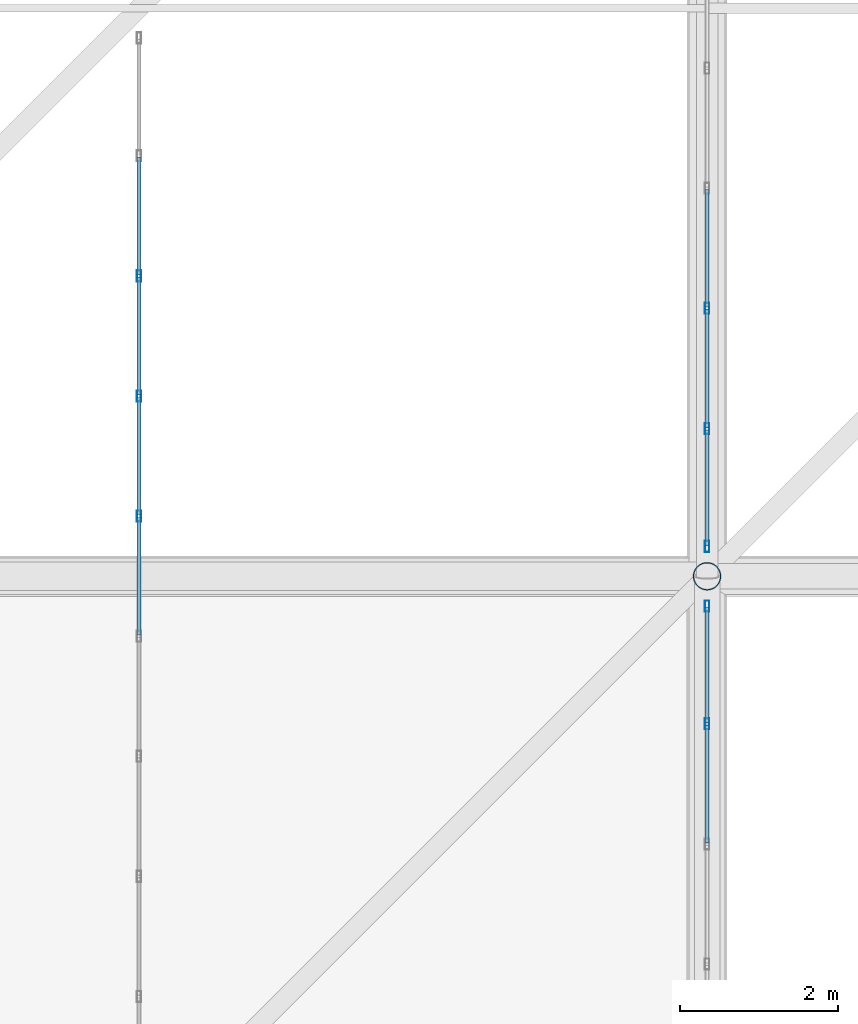
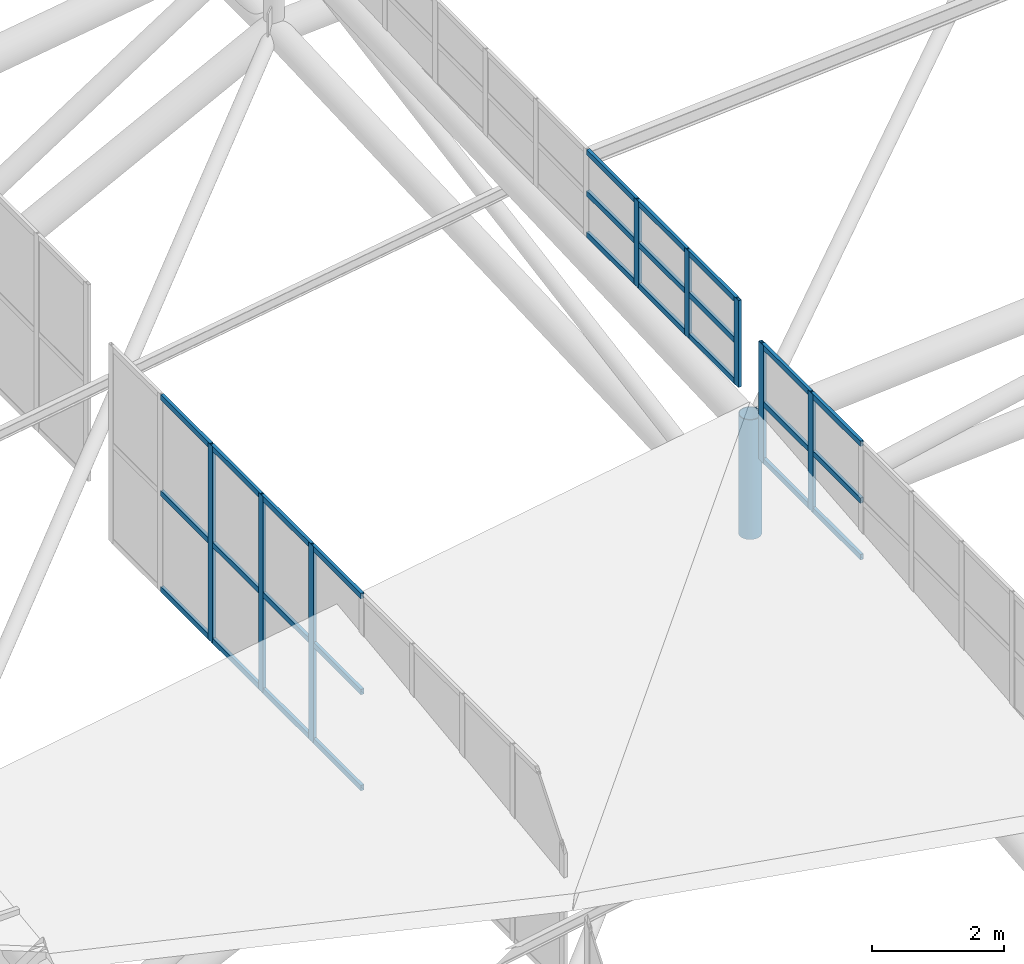
# One storey, part 60 of 397: 36 members, 3 elements without a shape of their own.
"""IFC4 building model written with IfcOpenShell, lengths in metres."""

from ifc_helpers import new_model, si_unit, direction, frame, origin, origin_2d, place, context, subcontext, project, spatial, hollow_rectangle, hollow_circle, extrude, material, material_profile, profile_set, type_object, element, aggregate, save


model = new_model("IFC4")

# Units and contexts
model_context = context("Model", 3, precision=1e-05, world=origin(), true_north=direction((0.0, 1.0)))
body_context = subcontext(model_context, "Body", "Model", "MODEL_VIEW")
ifc_project = project(units=[si_unit("LENGTHUNIT", "METRE"), si_unit("AREAUNIT", "SQUARE_METRE"), si_unit("VOLUMEUNIT", "CUBIC_METRE"), si_unit("PLANEANGLEUNIT", "RADIAN"), si_unit("MASSUNIT", "GRAM", prefix="KILO")], contexts=[model_context])

# Site, building, storey
site_placement = place(None, origin())
site = spatial("IfcSite", under=ifc_project, at=site_placement, CompositionType="ELEMENT")
building_placement = place(site_placement, origin())
building = spatial("IfcBuilding", under=site, at=building_placement, Name="Qandorah Velis Arena", CompositionType="ELEMENT")
storey_placement = place(building_placement, frame((0.0, 0.0, 27.5)))
storey = spatial("IfcBuildingStorey", under=building, at=storey_placement, Name="RF", CompositionType="ELEMENT", Elevation=27.5)

# Curtain wall, members
ifc_material_1 = material(Name="Solar-control low-E double glazing", Category="glass")
curtain_wall_type_1 = type_object("IfcCurtainWallType", Name="ARC-CW-SYS08", PredefinedType="USERDEFINED", material=ifc_material_1)
curtain_wall_1_placement = place(storey_placement, origin())
curtain_wall_1 = element("IfcCurtainWall", 1, at=curtain_wall_1_placement, inside=storey, type_object=curtain_wall_type_1, Name="Unitised curtain wall MON-1-2", ObjectType="UNITISED CURTAIN WALL", PredefinedType="USERDEFINED")
ifc_material_2 = material(Name="Champagne-bronze anodized aluminium 6063-T6", Category="aluminium")
ifc_material_profile_1 = material_profile(ifc_material_2, hollow_rectangle(XDim=0.054931640625, YDim=0.139892578125, WallThickness=0.0029296875, at=origin_2d()), Name="ALU MULLION 55x140")
ifc_profile_set_1 = profile_set([ifc_material_profile_1], Name="Champagne-bronze anodized aluminium 6063-T6")
member_type_1 = type_object("IfcMemberType", Name="ARC-CWM-140", PredefinedType="MULLION", material=ifc_profile_set_1)
member_1_placement = place(storey_placement, frame((21.60009765625, 43.961181640625, 5.13427734375), z_axis=(0.0, 0.0, 1.0), x_axis=(-1.0, 0.0, 0.0)))
member_1 = element("IfcMember", 2, at=member_1_placement, type_object=member_type_1, Name="CW08 mullion 6", PredefinedType="MULLION", context=body_context, shape_type="SweptSolid", body=[
    extrude(hollow_rectangle(XDim=0.054931640625, YDim=0.139892578125, WallThickness=0.0029296875, at=origin_2d()), origin(), (0.0, 0.0, 1.0), 3.630126953125),
])
member_2_placement = place(storey_placement, frame((21.60009765625, 45.4833984375, 5.13427734375), z_axis=(0.0, 0.0, 1.0), x_axis=(-1.0, 0.0, 0.0)))
member_2 = element("IfcMember", 3, at=member_2_placement, type_object=member_type_1, Name="CW08 mullion 7", PredefinedType="MULLION", context=body_context, shape_type="SweptSolid", body=[
    extrude(hollow_rectangle(XDim=0.054931640625, YDim=0.139892578125, WallThickness=0.0029296875, at=origin_2d()), origin(), (0.0, 0.0, 1.0), 3.630126953125),
])
member_3_placement = place(storey_placement, frame((21.60009765625, 47.005615234375, 5.13427734375), z_axis=(0.0, 0.0, 1.0), x_axis=(-1.0, 0.0, 0.0)))
member_3 = element("IfcMember", 4, at=member_3_placement, type_object=member_type_1, Name="CW08 mullion 8", PredefinedType="MULLION", context=body_context, shape_type="SweptSolid", body=[
    extrude(hollow_rectangle(XDim=0.054931640625, YDim=0.139892578125, WallThickness=0.0029296875, at=origin_2d()), origin(), (0.0, 0.0, 1.0), 3.630126953125),
])

curtain_wall_type_2 = type_object("IfcCurtainWallType", Name="ARC-CW-SYS06", PredefinedType="USERDEFINED", material=ifc_material_1)
curtain_wall_2_placement = place(storey_placement, origin())
curtain_wall_2 = element("IfcCurtainWall", 5, at=curtain_wall_2_placement, inside=storey, type_object=curtain_wall_type_2, Name="Unitised curtain wall OCULUS-1-1", ObjectType="UNITISED CURTAIN WALL", PredefinedType="USERDEFINED")
member_4_placement = place(storey_placement, frame((28.800048828125, 41.327880859375, 8.470947265625), z_axis=(0.0, 0.0, 1.0), x_axis=(-1.0, 0.0, 0.0)))
member_4 = element("IfcMember", 6, at=member_4_placement, type_object=member_type_1, Name="CW06 mullion 9", PredefinedType="MULLION", context=body_context, shape_type="SweptSolid", body=[
    extrude(hollow_rectangle(XDim=0.054931640625, YDim=0.139892578125, WallThickness=0.0029296875, at=origin_2d()), origin(), (0.0, 0.0, 1.0), 2.179931640625),
])
member_5_placement = place(storey_placement, frame((28.800048828125, 42.822509765625, 8.470947265625), z_axis=(0.0, 0.0, 1.0), x_axis=(-1.0, 0.0, 0.0)))
member_5 = element("IfcMember", 7, at=member_5_placement, type_object=member_type_1, Name="CW06 mullion 10", PredefinedType="MULLION", context=body_context, shape_type="SweptSolid", body=[
    extrude(hollow_rectangle(XDim=0.054931640625, YDim=0.139892578125, WallThickness=0.0029296875, at=origin_2d()), origin(), (0.0, 0.0, 1.0), 2.179931640625),
])

curtain_wall_type_3 = type_object("IfcCurtainWallType", Name="ARC-CW-SYS07", PredefinedType="USERDEFINED", material=ifc_material_1)
curtain_wall_3_placement = place(storey_placement, origin())
curtain_wall_3 = element("IfcCurtainWall", 8, at=curtain_wall_3_placement, inside=storey, type_object=curtain_wall_type_3, Name="Unitised curtain wall OCULUS-1-2", ObjectType="UNITISED CURTAIN WALL", PredefinedType="USERDEFINED")
member_6_placement = place(storey_placement, frame((28.800048828125, 43.577392578125, 9.41259765625), z_axis=(0.0, 0.0, 1.0), x_axis=(-1.0, 0.0, 0.0)))
member_6 = element("IfcMember", 9, at=member_6_placement, type_object=member_type_1, Name="CW07 mullion 1", PredefinedType="MULLION", context=body_context, shape_type="SweptSolid", body=[
    extrude(hollow_rectangle(XDim=0.054931640625, YDim=0.139892578125, WallThickness=0.0029296875, at=origin_2d()), origin(), (0.0, 0.0, 1.0), 1.602294921875),
])
member_7_placement = place(storey_placement, frame((28.800048828125, 45.072265625, 9.41259765625), z_axis=(0.0, 0.0, 1.0), x_axis=(-1.0, 0.0, 0.0)))
member_7 = element("IfcMember", 10, at=member_7_placement, type_object=member_type_1, Name="CW07 mullion 2", PredefinedType="MULLION", context=body_context, shape_type="SweptSolid", body=[
    extrude(hollow_rectangle(XDim=0.054931640625, YDim=0.139892578125, WallThickness=0.0029296875, at=origin_2d()), origin(), (0.0, 0.0, 1.0), 1.602294921875),
])
member_8_placement = place(storey_placement, frame((28.800048828125, 46.594482421875, 9.41259765625), z_axis=(0.0, 0.0, 1.0), x_axis=(-1.0, 0.0, 0.0)))
member_8 = element("IfcMember", 11, at=member_8_placement, type_object=member_type_1, Name="CW07 mullion 3", PredefinedType="MULLION", context=body_context, shape_type="SweptSolid", body=[
    extrude(hollow_rectangle(XDim=0.054931640625, YDim=0.139892578125, WallThickness=0.0029296875, at=origin_2d()), origin(), (0.0, 0.0, 1.0), 1.602294921875),
])

# Member
ifc_material_profile_2 = material_profile(ifc_material_2, hollow_rectangle(XDim=0.054931640625, YDim=0.10009765625, WallThickness=0.0029296875, at=origin_2d()), Name="ALU TRANSOM 55x100")
ifc_profile_set_2 = profile_set([ifc_material_profile_2], Name="Champagne-bronze anodized aluminium 6063-T6")
member_type_2 = type_object("IfcMemberType", Name="ARC-CWT-100", PredefinedType="USERDEFINED", material=ifc_profile_set_2)
member_9_placement = place(storey_placement, frame((21.60009765625, 42.454345703125, 5.1767578125), z_axis=(0.0, 1.0, 0.0), x_axis=(-1.0, 0.0, 0.0)))
member_9 = element("IfcMember", 12, at=member_9_placement, type_object=member_type_2, Name="CW08 transom 5.1", ObjectType="TRANSOM", PredefinedType="USERDEFINED", context=body_context, shape_type="SweptSolid", body=[
    extrude(hollow_rectangle(XDim=0.054931640625, YDim=0.10009765625, WallThickness=0.0029296875, at=origin_2d()), origin(), (0.0, 0.0, 1.0), 1.4912109375),
])

member_10_placement = place(storey_placement, frame((21.60009765625, 42.454345703125, 6.94921875), z_axis=(0.0, 1.0, 0.0), x_axis=(-1.0, 0.0, 0.0)))
member_10 = element("IfcMember", 13, at=member_10_placement, type_object=member_type_2, Name="CW08 transom 5.2", ObjectType="TRANSOM", PredefinedType="USERDEFINED", context=body_context, shape_type="SweptSolid", body=[
    extrude(hollow_rectangle(XDim=0.054931640625, YDim=0.10009765625, WallThickness=0.0029296875, at=origin_2d()), origin(), (0.0, 0.0, 1.0), 1.4912109375),
])

member_11_placement = place(storey_placement, frame((21.60009765625, 42.454345703125, 8.7216796875), z_axis=(0.0, 1.0, 0.0), x_axis=(-1.0, 0.0, 0.0)))
member_11 = element("IfcMember", 14, at=member_11_placement, type_object=member_type_2, Name="CW08 transom 5.3", ObjectType="TRANSOM", PredefinedType="USERDEFINED", context=body_context, shape_type="SweptSolid", body=[
    extrude(hollow_rectangle(XDim=0.054931640625, YDim=0.10009765625, WallThickness=0.0029296875, at=origin_2d()), origin(), (0.0, 0.0, 1.0), 1.4912109375),
])

member_12_placement = place(storey_placement, frame((21.60009765625, 43.9765625, 5.1767578125), z_axis=(0.0, 1.0, 0.0), x_axis=(-1.0, 0.0, 0.0)))
member_12 = element("IfcMember", 15, at=member_12_placement, type_object=member_type_2, Name="CW08 transom 6.1", ObjectType="TRANSOM", PredefinedType="USERDEFINED", context=body_context, shape_type="SweptSolid", body=[
    extrude(hollow_rectangle(XDim=0.054931640625, YDim=0.10009765625, WallThickness=0.0029296875, at=origin_2d()), origin(), (0.0, 0.0, 1.0), 1.4912109375),
])

member_13_placement = place(storey_placement, frame((21.60009765625, 43.9765625, 6.94921875), z_axis=(0.0, 1.0, 0.0), x_axis=(-1.0, 0.0, 0.0)))
member_13 = element("IfcMember", 16, at=member_13_placement, type_object=member_type_2, Name="CW08 transom 6.2", ObjectType="TRANSOM", PredefinedType="USERDEFINED", context=body_context, shape_type="SweptSolid", body=[
    extrude(hollow_rectangle(XDim=0.054931640625, YDim=0.10009765625, WallThickness=0.0029296875, at=origin_2d()), origin(), (0.0, 0.0, 1.0), 1.4912109375),
])

member_14_placement = place(storey_placement, frame((21.60009765625, 43.9765625, 8.7216796875), z_axis=(0.0, 1.0, 0.0), x_axis=(-1.0, 0.0, 0.0)))
member_14 = element("IfcMember", 17, at=member_14_placement, type_object=member_type_2, Name="CW08 transom 6.3", ObjectType="TRANSOM", PredefinedType="USERDEFINED", context=body_context, shape_type="SweptSolid", body=[
    extrude(hollow_rectangle(XDim=0.054931640625, YDim=0.10009765625, WallThickness=0.0029296875, at=origin_2d()), origin(), (0.0, 0.0, 1.0), 1.4912109375),
])

member_15_placement = place(storey_placement, frame((21.60009765625, 45.498779296875, 5.1767578125), z_axis=(0.0, 1.0, 0.0), x_axis=(-1.0, 0.0, 0.0)))
member_15 = element("IfcMember", 18, at=member_15_placement, type_object=member_type_2, Name="CW08 transom 7.1", ObjectType="TRANSOM", PredefinedType="USERDEFINED", context=body_context, shape_type="SweptSolid", body=[
    extrude(hollow_rectangle(XDim=0.054931640625, YDim=0.10009765625, WallThickness=0.0029296875, at=origin_2d()), origin(), (0.0, 0.0, 1.0), 1.4912109375),
])

member_16_placement = place(storey_placement, frame((21.60009765625, 45.498779296875, 6.94921875), z_axis=(0.0, 1.0, 0.0), x_axis=(-1.0, 0.0, 0.0)))
member_16 = element("IfcMember", 19, at=member_16_placement, type_object=member_type_2, Name="CW08 transom 7.2", ObjectType="TRANSOM", PredefinedType="USERDEFINED", context=body_context, shape_type="SweptSolid", body=[
    extrude(hollow_rectangle(XDim=0.054931640625, YDim=0.10009765625, WallThickness=0.0029296875, at=origin_2d()), origin(), (0.0, 0.0, 1.0), 1.4912109375),
])

member_17_placement = place(storey_placement, frame((21.60009765625, 45.498779296875, 8.7216796875), z_axis=(0.0, 1.0, 0.0), x_axis=(-1.0, 0.0, 0.0)))
member_17 = element("IfcMember", 20, at=member_17_placement, type_object=member_type_2, Name="CW08 transom 7.3", ObjectType="TRANSOM", PredefinedType="USERDEFINED", context=body_context, shape_type="SweptSolid", body=[
    extrude(hollow_rectangle(XDim=0.054931640625, YDim=0.10009765625, WallThickness=0.0029296875, at=origin_2d()), origin(), (0.0, 0.0, 1.0), 1.4912109375),
])

member_18_placement = place(storey_placement, frame((21.60009765625, 47.02099609375, 5.1767578125), z_axis=(0.0, 1.0, 0.0), x_axis=(-1.0, 0.0, 0.0)))
member_18 = element("IfcMember", 21, at=member_18_placement, type_object=member_type_2, Name="CW08 transom 8.1", ObjectType="TRANSOM", PredefinedType="USERDEFINED", context=body_context, shape_type="SweptSolid", body=[
    extrude(hollow_rectangle(XDim=0.054931640625, YDim=0.10009765625, WallThickness=0.0029296875, at=origin_2d()), origin(), (0.0, 0.0, 1.0), 1.4912109375),
])

member_19_placement = place(storey_placement, frame((21.60009765625, 47.02099609375, 6.94921875), z_axis=(0.0, 1.0, 0.0), x_axis=(-1.0, 0.0, 0.0)))
member_19 = element("IfcMember", 22, at=member_19_placement, type_object=member_type_2, Name="CW08 transom 8.2", ObjectType="TRANSOM", PredefinedType="USERDEFINED", context=body_context, shape_type="SweptSolid", body=[
    extrude(hollow_rectangle(XDim=0.054931640625, YDim=0.10009765625, WallThickness=0.0029296875, at=origin_2d()), origin(), (0.0, 0.0, 1.0), 1.4912109375),
])

member_20_placement = place(storey_placement, frame((21.60009765625, 47.02099609375, 8.7216796875), z_axis=(0.0, 1.0, 0.0), x_axis=(-1.0, 0.0, 0.0)))
member_20 = element("IfcMember", 23, at=member_20_placement, type_object=member_type_2, Name="CW08 transom 8.3", ObjectType="TRANSOM", PredefinedType="USERDEFINED", context=body_context, shape_type="SweptSolid", body=[
    extrude(hollow_rectangle(XDim=0.054931640625, YDim=0.10009765625, WallThickness=0.0029296875, at=origin_2d()), origin(), (0.0, 0.0, 1.0), 1.4912109375),
])

aggregate(curtain_wall_1, [member_1, member_2, member_3, member_9, member_10, member_11, member_12, member_13, member_14, member_15, member_16, member_17, member_18, member_19, member_20])

member_21_placement = place(storey_placement, frame((28.800048828125, 39.821044921875, 8.513427734375), z_axis=(0.0, 1.0, 0.0), x_axis=(-1.0, 0.0, 0.0)))
member_21 = element("IfcMember", 24, at=member_21_placement, type_object=member_type_2, Name="CW06 transom 8.1", ObjectType="TRANSOM", PredefinedType="USERDEFINED", context=body_context, shape_type="SweptSolid", body=[
    extrude(hollow_rectangle(XDim=0.054931640625, YDim=0.10009765625, WallThickness=0.0029296875, at=origin_2d()), origin(), (0.0, 0.0, 1.0), 1.4912109375),
])

member_22_placement = place(storey_placement, frame((28.800048828125, 39.821044921875, 9.56103515625), z_axis=(0.0, 1.0, 0.0), x_axis=(-1.0, 0.0, 0.0)))
member_22 = element("IfcMember", 25, at=member_22_placement, type_object=member_type_2, Name="CW06 transom 8.2", ObjectType="TRANSOM", PredefinedType="USERDEFINED", context=body_context, shape_type="SweptSolid", body=[
    extrude(hollow_rectangle(XDim=0.054931640625, YDim=0.10009765625, WallThickness=0.0029296875, at=origin_2d()), origin(), (0.0, 0.0, 1.0), 1.4912109375),
])

member_23_placement = place(storey_placement, frame((28.800048828125, 39.821044921875, 10.6083984375), z_axis=(0.0, 1.0, 0.0), x_axis=(-1.0, 0.0, 0.0)))
member_23 = element("IfcMember", 26, at=member_23_placement, type_object=member_type_2, Name="CW06 transom 8.3", ObjectType="TRANSOM", PredefinedType="USERDEFINED", context=body_context, shape_type="SweptSolid", body=[
    extrude(hollow_rectangle(XDim=0.054931640625, YDim=0.10009765625, WallThickness=0.0029296875, at=origin_2d()), origin(), (0.0, 0.0, 1.0), 1.4912109375),
])

member_24_placement = place(storey_placement, frame((28.800048828125, 41.34326171875, 8.513427734375), z_axis=(0.0, 1.0, 0.0), x_axis=(-1.0, 0.0, 0.0)))
member_24 = element("IfcMember", 27, at=member_24_placement, type_object=member_type_2, Name="CW06 transom 9.1", ObjectType="TRANSOM", PredefinedType="USERDEFINED", context=body_context, shape_type="SweptSolid", body=[
    extrude(hollow_rectangle(XDim=0.054931640625, YDim=0.10009765625, WallThickness=0.0029296875, at=origin_2d()), origin(), (0.0, 0.0, 1.0), 1.463623046875),
])

member_25_placement = place(storey_placement, frame((28.800048828125, 41.34326171875, 9.56103515625), z_axis=(0.0, 1.0, 0.0), x_axis=(-1.0, 0.0, 0.0)))
member_25 = element("IfcMember", 28, at=member_25_placement, type_object=member_type_2, Name="CW06 transom 9.2", ObjectType="TRANSOM", PredefinedType="USERDEFINED", context=body_context, shape_type="SweptSolid", body=[
    extrude(hollow_rectangle(XDim=0.054931640625, YDim=0.10009765625, WallThickness=0.0029296875, at=origin_2d()), origin(), (0.0, 0.0, 1.0), 1.463623046875),
])

member_26_placement = place(storey_placement, frame((28.800048828125, 41.34326171875, 10.6083984375), z_axis=(0.0, 1.0, 0.0), x_axis=(-1.0, 0.0, 0.0)))
member_26 = element("IfcMember", 29, at=member_26_placement, type_object=member_type_2, Name="CW06 transom 9.3", ObjectType="TRANSOM", PredefinedType="USERDEFINED", context=body_context, shape_type="SweptSolid", body=[
    extrude(hollow_rectangle(XDim=0.054931640625, YDim=0.10009765625, WallThickness=0.0029296875, at=origin_2d()), origin(), (0.0, 0.0, 1.0), 1.463623046875),
])

aggregate(curtain_wall_2, [member_4, member_5, member_21, member_22, member_23, member_24, member_25, member_26])

member_27_placement = place(storey_placement, frame((28.800048828125, 43.593017578125, 9.455078125), z_axis=(0.0, 1.0, 0.0), x_axis=(-1.0, 0.0, 0.0)))
member_27 = element("IfcMember", 30, at=member_27_placement, type_object=member_type_2, Name="CW07 transom 1.1", ObjectType="TRANSOM", PredefinedType="USERDEFINED", context=body_context, shape_type="SweptSolid", body=[
    extrude(hollow_rectangle(XDim=0.054931640625, YDim=0.10009765625, WallThickness=0.0029296875, at=origin_2d()), origin(), (0.0, 0.0, 1.0), 1.463623046875),
])

member_28_placement = place(storey_placement, frame((28.800048828125, 43.593017578125, 10.2138671875), z_axis=(0.0, 1.0, 0.0), x_axis=(-1.0, 0.0, 0.0)))
member_28 = element("IfcMember", 31, at=member_28_placement, type_object=member_type_2, Name="CW07 transom 1.2", ObjectType="TRANSOM", PredefinedType="USERDEFINED", context=body_context, shape_type="SweptSolid", body=[
    extrude(hollow_rectangle(XDim=0.054931640625, YDim=0.10009765625, WallThickness=0.0029296875, at=origin_2d()), origin(), (0.0, 0.0, 1.0), 1.463623046875),
])

member_29_placement = place(storey_placement, frame((28.800048828125, 43.593017578125, 10.972412109375), z_axis=(0.0, 1.0, 0.0), x_axis=(-1.0, 0.0, 0.0)))
member_29 = element("IfcMember", 32, at=member_29_placement, type_object=member_type_2, Name="CW07 transom 1.3", ObjectType="TRANSOM", PredefinedType="USERDEFINED", context=body_context, shape_type="SweptSolid", body=[
    extrude(hollow_rectangle(XDim=0.054931640625, YDim=0.10009765625, WallThickness=0.0029296875, at=origin_2d()), origin(), (0.0, 0.0, 1.0), 1.463623046875),
])

member_30_placement = place(storey_placement, frame((28.800048828125, 45.087646484375, 9.455078125), z_axis=(0.0, 1.0, 0.0), x_axis=(-1.0, 0.0, 0.0)))
member_30 = element("IfcMember", 33, at=member_30_placement, type_object=member_type_2, Name="CW07 transom 2.1", ObjectType="TRANSOM", PredefinedType="USERDEFINED", context=body_context, shape_type="SweptSolid", body=[
    extrude(hollow_rectangle(XDim=0.054931640625, YDim=0.10009765625, WallThickness=0.0029296875, at=origin_2d()), origin(), (0.0, 0.0, 1.0), 1.4912109375),
])

member_31_placement = place(storey_placement, frame((28.800048828125, 45.087646484375, 10.2138671875), z_axis=(0.0, 1.0, 0.0), x_axis=(-1.0, 0.0, 0.0)))
member_31 = element("IfcMember", 34, at=member_31_placement, type_object=member_type_2, Name="CW07 transom 2.2", ObjectType="TRANSOM", PredefinedType="USERDEFINED", context=body_context, shape_type="SweptSolid", body=[
    extrude(hollow_rectangle(XDim=0.054931640625, YDim=0.10009765625, WallThickness=0.0029296875, at=origin_2d()), origin(), (0.0, 0.0, 1.0), 1.4912109375),
])

member_32_placement = place(storey_placement, frame((28.800048828125, 45.087646484375, 10.972412109375), z_axis=(0.0, 1.0, 0.0), x_axis=(-1.0, 0.0, 0.0)))
member_32 = element("IfcMember", 35, at=member_32_placement, type_object=member_type_2, Name="CW07 transom 2.3", ObjectType="TRANSOM", PredefinedType="USERDEFINED", context=body_context, shape_type="SweptSolid", body=[
    extrude(hollow_rectangle(XDim=0.054931640625, YDim=0.10009765625, WallThickness=0.0029296875, at=origin_2d()), origin(), (0.0, 0.0, 1.0), 1.4912109375),
])

member_33_placement = place(storey_placement, frame((28.800048828125, 46.60986328125, 9.455078125), z_axis=(0.0, 1.0, 0.0), x_axis=(-1.0, 0.0, 0.0)))
member_33 = element("IfcMember", 36, at=member_33_placement, type_object=member_type_2, Name="CW07 transom 3.1", ObjectType="TRANSOM", PredefinedType="USERDEFINED", context=body_context, shape_type="SweptSolid", body=[
    extrude(hollow_rectangle(XDim=0.054931640625, YDim=0.10009765625, WallThickness=0.0029296875, at=origin_2d()), origin(), (0.0, 0.0, 1.0), 1.491455078125),
])

member_34_placement = place(storey_placement, frame((28.800048828125, 46.60986328125, 10.2138671875), z_axis=(0.0, 1.0, 0.0), x_axis=(-1.0, 0.0, 0.0)))
member_34 = element("IfcMember", 37, at=member_34_placement, type_object=member_type_2, Name="CW07 transom 3.2", ObjectType="TRANSOM", PredefinedType="USERDEFINED", context=body_context, shape_type="SweptSolid", body=[
    extrude(hollow_rectangle(XDim=0.054931640625, YDim=0.10009765625, WallThickness=0.0029296875, at=origin_2d()), origin(), (0.0, 0.0, 1.0), 1.491455078125),
])

member_35_placement = place(storey_placement, frame((28.800048828125, 46.60986328125, 10.972412109375), z_axis=(0.0, 1.0, 0.0), x_axis=(-1.0, 0.0, 0.0)))
member_35 = element("IfcMember", 38, at=member_35_placement, type_object=member_type_2, Name="CW07 transom 3.3", ObjectType="TRANSOM", PredefinedType="USERDEFINED", context=body_context, shape_type="SweptSolid", body=[
    extrude(hollow_rectangle(XDim=0.054931640625, YDim=0.10009765625, WallThickness=0.0029296875, at=origin_2d()), origin(), (0.0, 0.0, 1.0), 1.491455078125),
])

aggregate(curtain_wall_3, [member_6, member_7, member_8, member_27, member_28, member_29, member_30, member_31, member_32, member_33, member_34, member_35])

ifc_material_3 = material(Name="Steel S355", Category="steel")
ifc_material_profile_3 = material_profile(ifc_material_3, hollow_circle(Radius=0.177734375, WallThickness=0.012451171875, at=origin_2d()), Name="CHS 355.6x12.5")
ifc_profile_set_3 = profile_set([ifc_material_profile_3], Name="Steel S355")
member_type_3 = type_object("IfcMemberType", Name="STR-SFD-CHS355X12", PredefinedType="STRUT", material=ifc_profile_set_3)
member_36_placement = place(storey_placement, frame((28.800048828125, 43.199951171875, 6.90771484375), z_axis=(0.0, 0.0, 1.0), x_axis=(1.0, 0.0, 0.0)))
element("IfcMember", 39, at=member_36_placement, inside=storey, type_object=member_type_3, Name="Space frame roof vertical post 1.2", PredefinedType="STRUT", context=body_context, shape_type="SweptSolid", body=[
    extrude(hollow_circle(Radius=0.177734375, WallThickness=0.012451171875, at=origin_2d()), origin(), (0.0, 0.0, 1.0), 2.2099609375),
])

save(model, "model.ifc")
